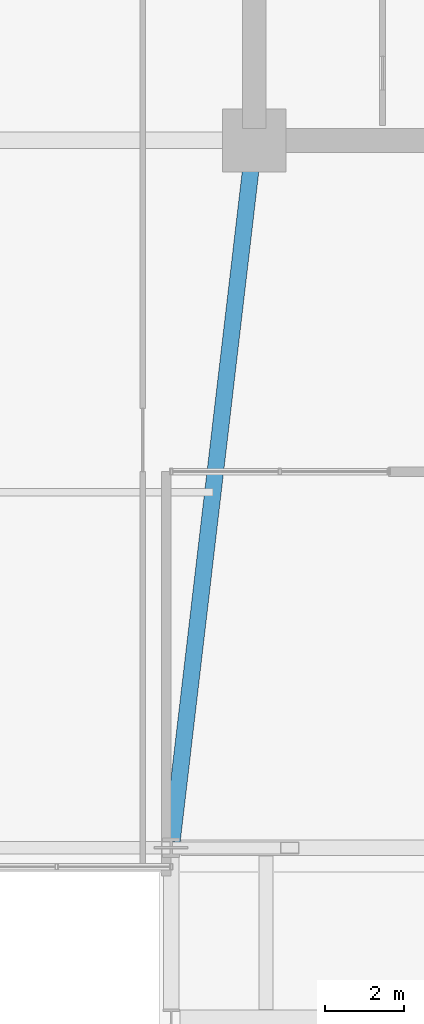
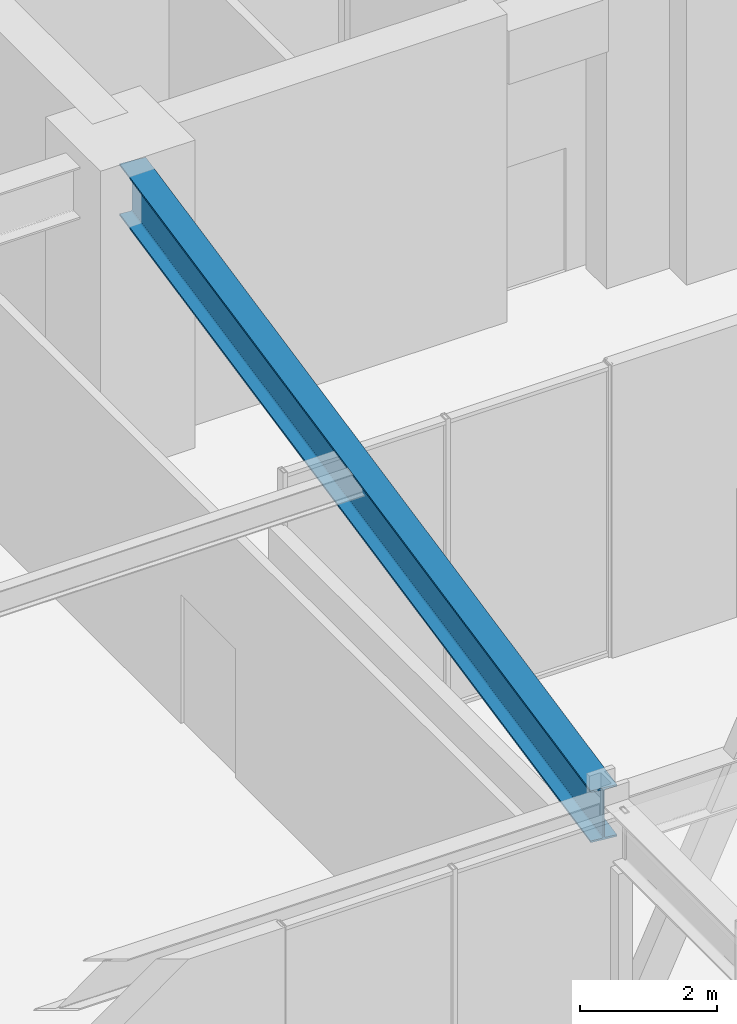
# One storey, part 7 of 24: 1 beam.
"""IFC4 building model written with IfcOpenShell, lengths in metres."""

from ifc_helpers import new_model, si_unit, direction, frame, origin, origin_2d, place, context, subcontext, project, spatial, i_section, extrude, material, material_profile, profile_set, type_object, element, save


model = new_model("IFC4")

# Units and contexts
model_context = context("Model", 3, precision=1e-05, world=origin(), true_north=direction((0.0, 1.0)))
body_context = subcontext(model_context, "Body", "Model", "MODEL_VIEW")
ifc_project = project(units=[si_unit("LENGTHUNIT", "METRE"), si_unit("AREAUNIT", "SQUARE_METRE"), si_unit("VOLUMEUNIT", "CUBIC_METRE"), si_unit("PLANEANGLEUNIT", "RADIAN"), si_unit("MASSUNIT", "GRAM", prefix="KILO")], contexts=[model_context])

# Site, building, storey
site_placement = place(None, origin())
site = spatial("IfcSite", under=ifc_project, at=site_placement, CompositionType="ELEMENT")
building_placement = place(site_placement, origin())
building = spatial("IfcBuilding", under=site, at=building_placement, Name="Kolvaren Belvedere", CompositionType="ELEMENT")
storey_placement = place(building_placement, origin())
storey = spatial("IfcBuildingStorey", under=building, at=storey_placement, Name="L01", CompositionType="ELEMENT", Elevation=0.0)

# Beam
ifc_material = material(Name="Structural steel ASTM A992 Grade 50", Category="steel")
ifc_material_profile = material_profile(ifc_material, i_section(OverallWidth=0.41796875, OverallDepth=0.927001953125, WebThickness=0.019287109375, FlangeThickness=0.031982421875, FilletRadius=0.028076171875, at=origin_2d()), Name="W36X231")
ifc_profile_set = profile_set([ifc_material_profile], Name="Structural steel ASTM A992 Grade 50")
beam_type = type_object("IfcBeamType", Name="BM-GIRD-W36X231", PredefinedType="BEAM", material=ifc_profile_set)
beam_placement = place(storey_placement, frame((-9.952392578125, -10.346923828125, 4.756591796875), z_axis=(-0.116516841483, -0.993188716031, 0.0), x_axis=(0.993188716031, -0.116516841483, 0.0)))
element("IfcBeam", 1, at=beam_placement, inside=storey, type_object=beam_type, Name="L01 South-West Portal Girder", PredefinedType="BEAM", context=body_context, shape_type="SweptSolid", body=[
    extrude(i_section(OverallWidth=0.41796875, OverallDepth=0.927001953125, WebThickness=0.019287109375, FlangeThickness=0.031982421875, FilletRadius=0.028076171875, at=origin_2d()), origin(), (0.0, 0.0, 1.0), 17.422607421875),
])

save(model, "model.ifc")
